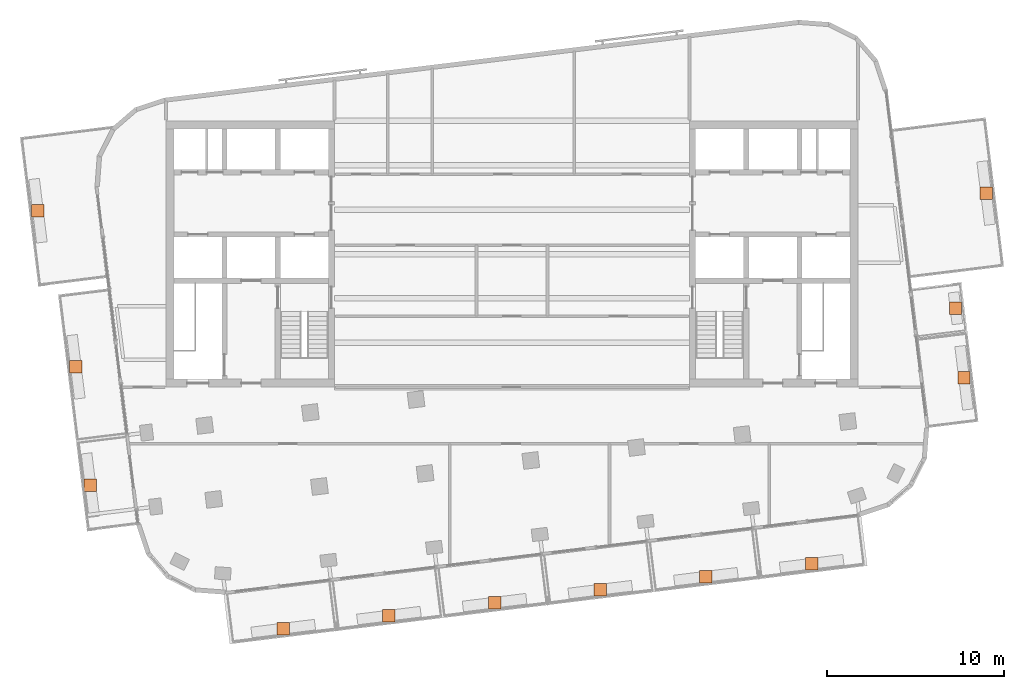
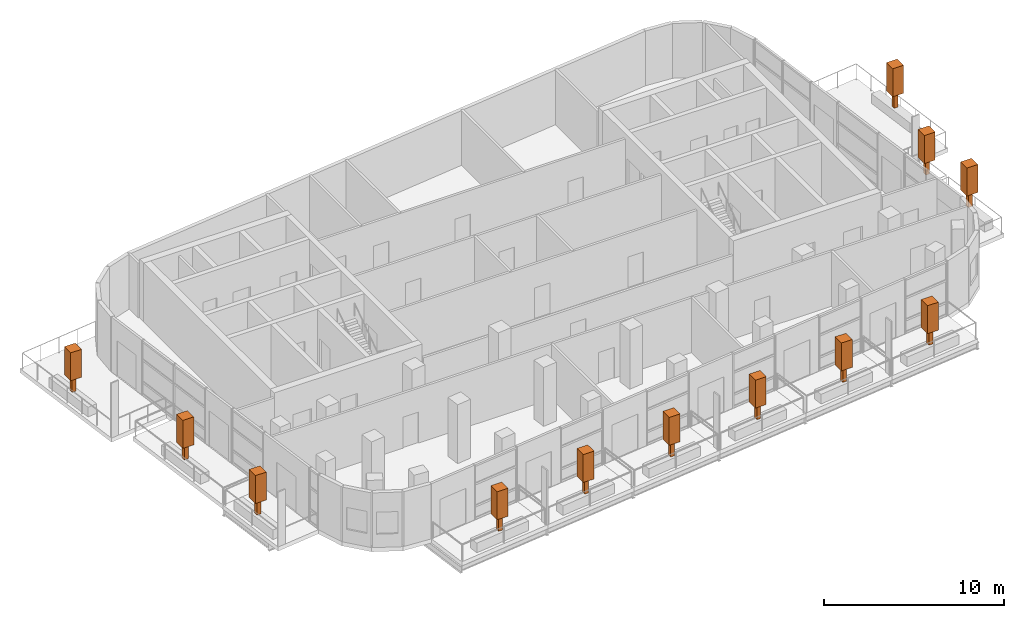
# One storey, part 13 of 13: 12 geographic elements.
"""IFC4 building model written with IfcOpenShell, lengths in metres."""

from ifc_helpers import new_model, si_unit, direction, frame, origin, origin_2d, place, context, subcontext, project, spatial, rectangle, extrude, material, element, save


model = new_model("IFC4")

# Units and contexts
model_context = context("Model", 3, precision=1e-05, world=origin(), true_north=direction((0.0, 1.0)))
body_context = subcontext(model_context, "Body", "Model", "MODEL_VIEW")
ifc_project = project(units=[si_unit("LENGTHUNIT", "METRE"), si_unit("AREAUNIT", "SQUARE_METRE"), si_unit("VOLUMEUNIT", "CUBIC_METRE"), si_unit("PLANEANGLEUNIT", "RADIAN"), si_unit("MASSUNIT", "GRAM", prefix="KILO")], contexts=[model_context])

# Site, building, storey
site_placement = place(None, origin())
site = spatial("IfcSite", under=ifc_project, at=site_placement, CompositionType="ELEMENT")
building_placement = place(site_placement, origin())
building = spatial("IfcBuilding", under=site, at=building_placement, Name="Torana Hotel and Residences", CompositionType="ELEMENT")
storey_placement = place(building_placement, frame((0.0, 0.0, 342.60009765625)))
storey = spatial("IfcBuildingStorey", under=building, at=storey_placement, Name="L90", CompositionType="ELEMENT", Elevation=342.60009765625)

# Geographic elements
ifc_material = material(Name="Foliage", Category="planting")
for number, where, z_axis, x_axis, name in (
    (1, (-12.8896484375, -28.605712890625, 0.64990234375), (0.0, 0.0, 1.0), (1.0, 0.0, 0.0), "Tree 01"),
    (2, (-6.934326171875, -27.87451171875, 0.64990234375), (0.0, 0.0, 1.0), (1.0, 0.0, 0.0), "Tree 02"),
    (3, (-0.97900390625, -27.143310546875, 0.64990234375), (0.0, 0.0, 1.0), (1.0, 0.0, 0.0), "Tree 03"),
    (4, (4.976318359375, -26.412109375, 0.64990234375), (0.0, 0.0, 1.0), (1.0, 0.0, 0.0), "Tree 04"),
    (5, (10.931396484375, -25.680908203125, 0.64990234375), (0.0, 0.0, 1.0), (1.0, 0.0, 0.0), "Tree 05"),
    (6, (16.88671875, -24.94970703125, 0.64990234375), (0.0, 0.0, 1.0), (1.0, 0.0, 0.0), "Tree 06"),
    (7, (-23.756103515625, -20.519775390625, 0.64990234375), (0.0, 0.0, 1.0), (1.0, 0.0, 0.0), "Tree 07"),
    (8, (-24.573974609375, -13.857421875, 0.64990234375), (0.0, 0.0, 1.0), (1.0, 0.0, 0.0), "Tree 08"),
    (9, (-26.71240234375, -5.058349609375, 0.64990234375), (0.0, 0.0, 1.0), (1.0, 0.0, 0.0), "Tree 09"),
    (10, (25.474365234375, -14.47509765625, 0.64990234375), (0.0, 0.0, 1.0), (1.0, 0.0, 0.0), "Tree 10"),
    (11, (24.992919921875, -10.5546875, 0.64990234375), (0.0, 0.0, 1.0), (1.0, 0.0, 0.0), "Tree 11"),
    (12, (26.71484375, -4.06494140625, 0.64990234375), (0.0, 0.0, 1.0), (1.0, 0.0, 0.0), "Tree 12"),
):
    element("IfcGeographicElement", number, at=place(storey_placement, frame(where, z_axis=z_axis, x_axis=x_axis)), inside=storey, material=ifc_material, Name=name, ObjectType="TREE", PredefinedType="USERDEFINED", context=body_context, shape_type="SweptSolid", body=[
        extrude(rectangle(XDim=0.25, YDim=0.25, at=origin_2d()), origin(), (0.0, 0.0, 1.0), 1.0),
        extrude(rectangle(XDim=0.699951171875, YDim=0.699951171875, at=origin_2d()), frame((0.0, 0.0, 1.0)), (0.0, 0.0, 1.0), 1.89990234375),
    ])

save(model, "model.ifc")
